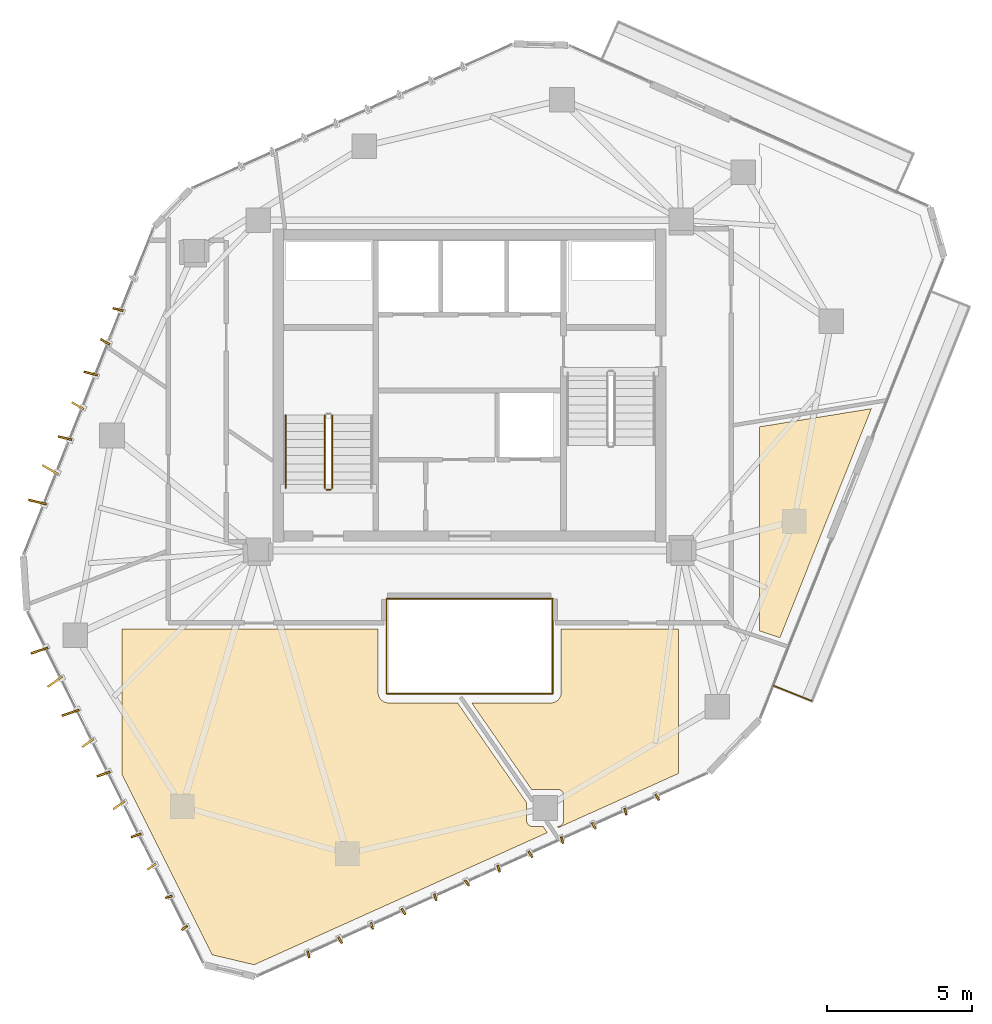
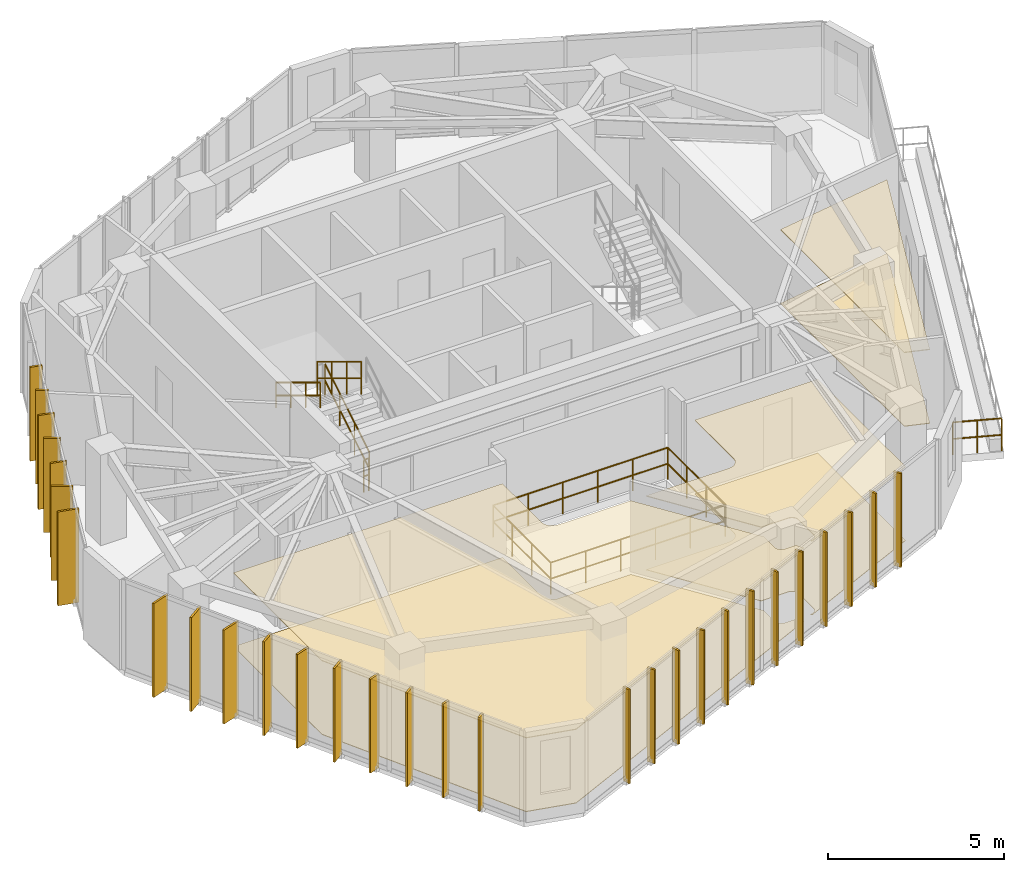
# One storey, part 20 of 21: 29 shading devices, 9 railings, 6 coverings.
"""IFC4 building model written with IfcOpenShell, lengths in metres."""

from ifc_helpers import new_model, si_unit, direction, frame, origin, origin_2d, place, context, subcontext, project, spatial, polyline, rectangle, circle, outline, extrude, source, transform, mapped, material, layer, layer_set, type_object, type_shapes, element, save


model = new_model("IFC4")

# Units and contexts
model_context = context("Model", 3, precision=1e-05, world=origin(), true_north=direction((0.0, 1.0)))
body_context = subcontext(model_context, "Body", "Model", "MODEL_VIEW")
ifc_project = project(units=[si_unit("LENGTHUNIT", "METRE"), si_unit("AREAUNIT", "SQUARE_METRE"), si_unit("VOLUMEUNIT", "CUBIC_METRE"), si_unit("PLANEANGLEUNIT", "RADIAN"), si_unit("MASSUNIT", "GRAM", prefix="KILO")], contexts=[model_context])

# Site, building, storey
site_placement = place(None, origin())
site = spatial("IfcSite", under=ifc_project, at=site_placement, CompositionType="ELEMENT")
building_placement = place(site_placement, origin())
building = spatial("IfcBuilding", under=site, at=building_placement, Name="Talar Marvaseh", CompositionType="ELEMENT")
storey_placement = place(building_placement, frame((0.0, 0.0, 271.39990234375)))
storey = spatial("IfcBuildingStorey", under=building, at=storey_placement, Name="L72", CompositionType="ELEMENT", Elevation=271.39990234375)

# Railings
ifc_material_1 = material(Name="Stainless Steel Grade 316", Category="steel")
railing_type_1 = type_object("IfcRailingType", Name="Brushed Stainless Wall Pitch Handrail 900", PredefinedType="HANDRAIL", material=ifc_material_1)
railing_1_placement = place(storey_placement, frame((19.64990234375, 30.169921875, 1.8701171875)))
element("IfcRailing", 1, at=railing_1_placement, inside=storey, type_object=railing_type_1, Name="L72 ST-1 stair handrail 2", PredefinedType="HANDRAIL", context=body_context, shape_type="SweptSolid", body=[
    extrude(circle(Radius=0.02392578125, at=origin_2d()), frame((0.0, 0.0, 0.8759765625), z_axis=(0.0, -0.85478489116, 0.518982456201), x_axis=(1.0, 0.0, 0.0)), (0.0, 0.0, 1.0), 2.9482421875),
    extrude(circle(Radius=0.02392578125, at=origin_2d()), frame((0.0, 0.0, 0.42578125), z_axis=(0.0, -0.85478489116, 0.518982456201), x_axis=(1.0, 0.0, 0.0)), (0.0, 0.0, 1.0), 2.9482421875),
    extrude(circle(Radius=0.02099609375, at=origin_2d()), origin(), (0.0, 0.0, 1.0), 0.851806640625),
    extrude(circle(Radius=0.02099609375, at=origin_2d()), frame((0.0, -0.840087890625, 0.510009765625)), (0.0, 0.0, 1.0), 0.851806640625),
    extrude(circle(Radius=0.02099609375, at=origin_2d()), frame((0.0, -1.679931640625, 1.02001953125)), (0.0, 0.0, 1.0), 0.851806640625),
    extrude(circle(Radius=0.02099609375, at=origin_2d()), frame((0.0, -2.52001953125, 1.530029296875)), (0.0, 0.0, 1.0), 0.851806640625),
])
ifc_material_2 = material(Name="Tempered Clear Glass", Category="glass")
railing_type_2 = type_object("IfcRailingType", Name="External Laminated Glass Terrace Balustrade 1150", PredefinedType="BALUSTRADE", material=ifc_material_2)
railing_2_placement = place(storey_placement, frame((37.8046875, 20.308349609375, 0.0)))
element("IfcRailing", 2, at=railing_2_placement, inside=storey, type_object=railing_type_2, Name="L72 External Terrace Balustrade 2 3", PredefinedType="BALUSTRADE", context=body_context, shape_type="SweptSolid", body=[
    extrude(circle(Radius=0.02392578125, at=origin_2d()), frame((0.0, 0.0, 1.1259765625), z_axis=(-0.928727281581, 0.370763585654, 0.0), x_axis=(-0.370763585654, -0.928727281581, 0.0)), (0.0, 0.0, 1.0), 1.409912109375),
    extrude(circle(Radius=0.02392578125, at=origin_2d()), frame((0.0, 0.0, 0.55078125), z_axis=(-0.928727281581, 0.370763585654, 0.0), x_axis=(-0.370763585654, -0.928727281581, 0.0)), (0.0, 0.0, 1.0), 1.409912109375),
    extrude(circle(Radius=0.02099609375, at=origin_2d()), origin(), (0.0, 0.0, 1.0), 1.101806640625),
    extrude(circle(Radius=0.02099609375, at=origin_2d()), frame((-0.65478515625, 0.26123046875, 0.0)), (0.0, 0.0, 1.0), 1.101806640625),
    extrude(circle(Radius=0.02099609375, at=origin_2d()), frame((-1.309326171875, 0.522705078125, 0.0)), (0.0, 0.0, 1.0), 1.101806640625),
])
railing_type_3 = type_object("IfcRailingType", Name="Interior Atrium Edge Balustrade 1120", PredefinedType="BALUSTRADE", material=ifc_material_2)
railing_3_placement = place(storey_placement, frame((23.130615234375, 20.560302734375, 0.0)))
element("IfcRailing", 3, at=railing_3_placement, inside=storey, type_object=railing_type_3, Name="L72 Internal Daylight Atrium Balustrade 1", PredefinedType="BALUSTRADE", context=body_context, shape_type="SweptSolid", body=[
    extrude(circle(Radius=0.02392578125, at=origin_2d()), frame((0.0, 0.0, 1.09619140625), z_axis=(1.0, 0.0, 0.0), x_axis=(0.0, 1.0, 0.0)), (0.0, 0.0, 1.0), 5.73876953125),
    extrude(circle(Radius=0.02392578125, at=origin_2d()), frame((0.0, 0.0, 0.5361328125), z_axis=(1.0, 0.0, 0.0), x_axis=(0.0, 1.0, 0.0)), (0.0, 0.0, 1.0), 5.73876953125),
    extrude(circle(Radius=0.02099609375, at=origin_2d()), origin(), (0.0, 0.0, 1.0), 1.072021484375),
    extrude(circle(Radius=0.02099609375, at=origin_2d()), frame((1.147705078125, 0.0, 0.0)), (0.0, 0.0, 1.0), 1.072021484375),
    extrude(circle(Radius=0.02099609375, at=origin_2d()), frame((2.29541015625, 0.0, 0.0)), (0.0, 0.0, 1.0), 1.072021484375),
    extrude(circle(Radius=0.02099609375, at=origin_2d()), frame((3.443359375, 0.0, 0.0)), (0.0, 0.0, 1.0), 1.072021484375),
    extrude(circle(Radius=0.02099609375, at=origin_2d()), frame((4.591064453125, 0.0, 0.0)), (0.0, 0.0, 1.0), 1.072021484375),
    extrude(circle(Radius=0.02099609375, at=origin_2d()), frame((5.73876953125, 0.0, 0.0)), (0.0, 0.0, 1.0), 1.072021484375),
])
railing_4_placement = place(storey_placement, frame((28.869384765625, 20.560302734375, 0.0)))
element("IfcRailing", 4, at=railing_4_placement, inside=storey, type_object=railing_type_3, Name="L72 Internal Daylight Atrium Balustrade 2", PredefinedType="BALUSTRADE", context=body_context, shape_type="SweptSolid", body=[
    extrude(circle(Radius=0.02392578125, at=origin_2d()), frame((0.0, 0.0, 1.09619140625), z_axis=(0.0, 1.0, 0.0), x_axis=(-1.0, 0.0, 0.0)), (0.0, 0.0, 1.0), 3.279296875),
    extrude(circle(Radius=0.02392578125, at=origin_2d()), frame((0.0, 0.0, 0.5361328125), z_axis=(0.0, 1.0, 0.0), x_axis=(-1.0, 0.0, 0.0)), (0.0, 0.0, 1.0), 3.279296875),
    extrude(circle(Radius=0.02099609375, at=origin_2d()), origin(), (0.0, 0.0, 1.0), 1.072021484375),
    extrude(circle(Radius=0.02099609375, at=origin_2d()), frame((0.0, 1.093017578125, 0.0)), (0.0, 0.0, 1.0), 1.072021484375),
    extrude(circle(Radius=0.02099609375, at=origin_2d()), frame((0.0, 2.186279296875, 0.0)), (0.0, 0.0, 1.0), 1.072021484375),
    extrude(circle(Radius=0.02099609375, at=origin_2d()), frame((0.0, 3.279296875, 0.0)), (0.0, 0.0, 1.0), 1.072021484375),
])
railing_5_placement = place(storey_placement, frame((28.869384765625, 23.839599609375, 0.0)))
element("IfcRailing", 5, at=railing_5_placement, inside=storey, type_object=railing_type_3, Name="L72 Internal Daylight Atrium Balustrade 3", PredefinedType="BALUSTRADE", context=body_context, shape_type="SweptSolid", body=[
    extrude(circle(Radius=0.02392578125, at=origin_2d()), frame((0.0, 0.0, 1.09619140625), z_axis=(-1.0, 0.0, 0.0), x_axis=(0.0, -1.0, 0.0)), (0.0, 0.0, 1.0), 5.73876953125),
    extrude(circle(Radius=0.02392578125, at=origin_2d()), frame((0.0, 0.0, 0.5361328125), z_axis=(-1.0, 0.0, 0.0), x_axis=(0.0, -1.0, 0.0)), (0.0, 0.0, 1.0), 5.73876953125),
    extrude(circle(Radius=0.02099609375, at=origin_2d()), origin(), (0.0, 0.0, 1.0), 1.072021484375),
    extrude(circle(Radius=0.02099609375, at=origin_2d()), frame((-1.147705078125, 0.0, 0.0)), (0.0, 0.0, 1.0), 1.072021484375),
    extrude(circle(Radius=0.02099609375, at=origin_2d()), frame((-2.29541015625, 0.0, 0.0)), (0.0, 0.0, 1.0), 1.072021484375),
    extrude(circle(Radius=0.02099609375, at=origin_2d()), frame((-3.443359375, 0.0, 0.0)), (0.0, 0.0, 1.0), 1.072021484375),
    extrude(circle(Radius=0.02099609375, at=origin_2d()), frame((-4.591064453125, 0.0, 0.0)), (0.0, 0.0, 1.0), 1.072021484375),
    extrude(circle(Radius=0.02099609375, at=origin_2d()), frame((-5.73876953125, 0.0, 0.0)), (0.0, 0.0, 1.0), 1.072021484375),
])
railing_6_placement = place(storey_placement, frame((23.130615234375, 23.839599609375, 0.0)))
element("IfcRailing", 6, at=railing_6_placement, inside=storey, type_object=railing_type_3, Name="L72 Internal Daylight Atrium Balustrade 4", PredefinedType="BALUSTRADE", context=body_context, shape_type="SweptSolid", body=[
    extrude(circle(Radius=0.02392578125, at=origin_2d()), frame((0.0, 0.0, 1.09619140625), z_axis=(0.0, -1.0, 0.0), x_axis=(1.0, 0.0, 0.0)), (0.0, 0.0, 1.0), 3.279296875),
    extrude(circle(Radius=0.02392578125, at=origin_2d()), frame((0.0, 0.0, 0.5361328125), z_axis=(0.0, -1.0, 0.0), x_axis=(1.0, 0.0, 0.0)), (0.0, 0.0, 1.0), 3.279296875),
    extrude(circle(Radius=0.02099609375, at=origin_2d()), origin(), (0.0, 0.0, 1.0), 1.072021484375),
    extrude(circle(Radius=0.02099609375, at=origin_2d()), frame((0.0, -1.093017578125, 0.0)), (0.0, 0.0, 1.0), 1.072021484375),
    extrude(circle(Radius=0.02099609375, at=origin_2d()), frame((0.0, -2.186279296875, 0.0)), (0.0, 0.0, 1.0), 1.072021484375),
    extrude(circle(Radius=0.02099609375, at=origin_2d()), frame((0.0, -3.279296875, 0.0)), (0.0, 0.0, 1.0), 1.072021484375),
])
railing_type_4 = type_object("IfcRailingType", Name="Painted Steel Core Stair Well Guardrail 1150", PredefinedType="GUARDRAIL", material=ifc_material_1)
railing_7_placement = place(storey_placement, frame((21.260009765625, 27.64990234375, 0.170166015625)))
element("IfcRailing", 7, at=railing_7_placement, inside=storey, type_object=railing_type_4, Name="L72 ST-1 stair guard 1", PredefinedType="GUARDRAIL", context=body_context, shape_type="SweptSolid", body=[
    extrude(circle(Radius=0.02392578125, at=origin_2d()), frame((0.0, 0.0, 1.1259765625), z_axis=(0.0, 0.85478489116, 0.518982456201), x_axis=(-1.0, 0.0, 0.0)), (0.0, 0.0, 1.0), 2.9482421875),
    extrude(circle(Radius=0.02392578125, at=origin_2d()), frame((0.0, 0.0, 0.55078125), z_axis=(0.0, 0.85478489116, 0.518982456201), x_axis=(-1.0, 0.0, 0.0)), (0.0, 0.0, 1.0), 2.9482421875),
    extrude(circle(Radius=0.02099609375, at=origin_2d()), origin(), (0.0, 0.0, 1.0), 1.101806640625),
    extrude(circle(Radius=0.02099609375, at=origin_2d()), frame((0.0, 0.840087890625, 0.510009765625)), (0.0, 0.0, 1.0), 1.101806640625),
    extrude(circle(Radius=0.02099609375, at=origin_2d()), frame((0.0, 1.679931640625, 1.02001953125)), (0.0, 0.0, 1.0), 1.101806640625),
    extrude(circle(Radius=0.02099609375, at=origin_2d()), frame((0.0, 2.52001953125, 1.530029296875)), (0.0, 0.0, 1.0), 1.101806640625),
])
railing_8_placement = place(storey_placement, frame((21.0, 30.169921875, 1.8701171875)))
element("IfcRailing", 8, at=railing_8_placement, inside=storey, type_object=railing_type_4, Name="L72 ST-1 stair guard 3", PredefinedType="GUARDRAIL", context=body_context, shape_type="SweptSolid", body=[
    extrude(circle(Radius=0.02392578125, at=origin_2d()), frame((0.0, 0.0, 1.1259765625), z_axis=(0.0, -0.85478489116, 0.518982456201), x_axis=(1.0, 0.0, 0.0)), (0.0, 0.0, 1.0), 2.9482421875),
    extrude(circle(Radius=0.02392578125, at=origin_2d()), frame((0.0, 0.0, 0.55078125), z_axis=(0.0, -0.85478489116, 0.518982456201), x_axis=(1.0, 0.0, 0.0)), (0.0, 0.0, 1.0), 2.9482421875),
    extrude(circle(Radius=0.02099609375, at=origin_2d()), origin(), (0.0, 0.0, 1.0), 1.101806640625),
    extrude(circle(Radius=0.02099609375, at=origin_2d()), frame((0.0, -0.840087890625, 0.510009765625)), (0.0, 0.0, 1.0), 1.101806640625),
    extrude(circle(Radius=0.02099609375, at=origin_2d()), frame((0.0, -1.679931640625, 1.02001953125)), (0.0, 0.0, 1.0), 1.101806640625),
    extrude(circle(Radius=0.02099609375, at=origin_2d()), frame((0.0, -2.52001953125, 1.530029296875)), (0.0, 0.0, 1.0), 1.101806640625),
])
railing_9_placement = place(storey_placement, frame((21.2099609375, 27.60009765625, 0.0)))
element("IfcRailing", 9, at=railing_9_placement, inside=storey, type_object=railing_type_4, Name="L72 ST-1 stair guard 4", PredefinedType="GUARDRAIL", context=body_context, shape_type="SweptSolid", body=[
    extrude(circle(Radius=0.02392578125, at=origin_2d()), frame((0.0, 0.0, 1.1259765625), z_axis=(-1.0, 0.0, 0.0), x_axis=(0.0, -1.0, 0.0)), (0.0, 0.0, 1.0), 0.159912109375),
    extrude(circle(Radius=0.02392578125, at=origin_2d()), frame((0.0, 0.0, 0.55078125), z_axis=(-1.0, 0.0, 0.0), x_axis=(0.0, -1.0, 0.0)), (0.0, 0.0, 1.0), 0.159912109375),
    extrude(circle(Radius=0.02099609375, at=origin_2d()), origin(), (0.0, 0.0, 1.0), 1.101806640625),
    extrude(circle(Radius=0.02099609375, at=origin_2d()), frame((-0.159912109375, 0.0, 0.0)), (0.0, 0.0, 1.0), 1.101806640625),
])

# Coverings
ifc_material_3 = material(Name="Mineral Fibre Acoustic Ceiling")
ifc_layer_1 = layer(ifc_material_3, 0.02490234375)
ifc_layer_set_1 = layer_set([ifc_layer_1], Name="Mineral Fibre Acoustic Ceiling")
covering_type_1 = type_object("IfcCoveringType", Name="Perforated Mineral Fibre Acoustic Suspended Ceiling", PredefinedType="CEILING", material=ifc_layer_set_1)
covering_1_placement = place(storey_placement, frame((0.0, 0.0, 2.56005859375)))
element("IfcCovering", 10, at=covering_1_placement, inside=storey, type_object=covering_type_1, Name="L72 Museum Publication Bookshop Acoustic Ceiling", PredefinedType="CEILING", context=body_context, shape_type="SweptSolid", body=[
    extrude(outline(polyline([(22.840087890625, 20.60009765625), (22.841064453125, 20.580322265625), (22.843994140625, 20.560791015625), (22.856201171875, 20.499755859375), (22.86181640625, 20.4775390625), (22.8701171875, 20.456298828125), (22.880615234375, 20.436279296875), (22.90478515625, 20.39599609375), (22.91552734375, 20.37939453125), (22.927978515625, 20.3642578125), (22.94189453125, 20.350341796875), (22.957275390625, 20.337890625), (23.019775390625, 20.29150390625), (23.0380859375, 20.279296875), (23.057861328125, 20.269287109375), (23.078369140625, 20.261474609375), (23.099609375, 20.256103515625), (23.160888671875, 20.243896484375), (23.180419921875, 20.240966796875), (23.199951171875, 20.239990234375), (25.58349609375, 20.239990234375), (27.965087890625, 16.80029296875), (27.967529296875, 16.18310546875), (27.968505859375, 16.16357421875), (27.971435546875, 16.14404296875), (27.976318359375, 16.125244140625), (27.98291015625, 16.106689453125), (27.9912109375, 16.089111328125), (28.001220703125, 16.072509765625), (28.012939453125, 16.056640625), (28.026123046875, 16.042236328125), (28.04052734375, 16.029052734375), (28.056396484375, 16.017578125), (28.072998046875, 16.00732421875), (28.08544921875, 16.000732421875), (28.103271484375, 15.9921875), (28.121826171875, 15.985595703125), (28.140869140625, 15.98095703125), (28.160400390625, 15.97802734375), (28.179931640625, 15.97705078125), (28.53515625, 15.97705078125), (28.681396484375, 15.765869140625), (18.56201171875, 11.205322265625), (17.118408203125, 11.54736328125), (14.0, 17.775390625), (14.0, 22.800048828125), (15.60009765625, 22.800048828125), (22.840087890625, 22.800048828125), (22.840087890625, 20.60009765625)])), origin(), (0.0, 0.0, 1.0), 0.025146484375),
])
covering_2_placement = place(storey_placement, frame((0.0, 0.0, 2.56005859375)))
element("IfcCovering", 11, at=covering_2_placement, inside=storey, type_object=covering_type_1, Name="L72 Hospitality Tea Pantry Acoustic Ceiling", PredefinedType="CEILING", context=body_context, shape_type="SweptSolid", body=[
    extrude(outline(polyline([(28.800048828125, 20.239990234375), (28.819580078125, 20.240966796875), (28.839111328125, 20.243896484375), (28.900390625, 20.256103515625), (28.92236328125, 20.26171875), (28.943603515625, 20.27001953125), (28.9638671875, 20.280517578125), (29.004150390625, 20.3046875), (29.0205078125, 20.315673828125), (29.035888671875, 20.328125), (29.0498046875, 20.342041015625), (29.062255859375, 20.357177734375), (29.1083984375, 20.419677734375), (29.12060546875, 20.43798828125), (29.130615234375, 20.457763671875), (29.138427734375, 20.478515625), (29.143798828125, 20.499755859375), (29.156005859375, 20.560791015625), (29.158935546875, 20.580322265625), (29.159912109375, 20.60009765625), (29.159912109375, 22.800048828125), (33.199951171875, 22.800048828125), (33.199951171875, 17.802001953125), (29.05224609375, 15.93310546875), (29.021728515625, 15.97705078125), (29.030029296875, 15.97705078125), (29.049560546875, 15.97802734375), (29.069091796875, 15.98095703125), (29.088134765625, 15.985595703125), (29.106689453125, 15.9921875), (29.12451171875, 16.000732421875), (29.14111328125, 16.0107421875), (29.155029296875, 16.02001953125), (29.1708984375, 16.03173828125), (29.185302734375, 16.044921875), (29.198486328125, 16.0595703125), (29.210205078125, 16.075439453125), (29.220458984375, 16.09228515625), (29.228759765625, 16.110107421875), (29.2353515625, 16.12841796875), (29.239990234375, 16.147705078125), (29.242919921875, 16.1669921875), (29.243896484375, 16.1865234375), (29.242431640625, 17.050537109375), (29.241455078125, 17.0703125), (29.238525390625, 17.089599609375), (29.23388671875, 17.1083984375), (29.227294921875, 17.126953125), (29.218994140625, 17.14453125), (29.208740234375, 17.161376953125), (29.197021484375, 17.17724609375), (29.18408203125, 17.191650390625), (29.16943359375, 17.204833984375), (29.15380859375, 17.216552734375), (29.136962890625, 17.2265625), (29.12451171875, 17.2333984375), (29.106689453125, 17.24169921875), (29.088134765625, 17.248291015625), (29.069091796875, 17.253173828125), (29.049560546875, 17.256103515625), (29.02978515625, 17.257080078125), (28.177001953125, 17.256591796875), (28.15625, 17.255615234375), (28.138427734375, 17.252685546875), (26.070068359375, 20.239990234375), (28.800048828125, 20.239990234375)])), origin(), (0.0, 0.0, 1.0), 0.025146484375),
])
covering_3_placement = place(storey_placement, frame((0.0, 0.0, 2.56005859375)))
element("IfcCovering", 12, at=covering_3_placement, inside=storey, type_object=covering_type_1, Name="L72 Artisan Craft Showroom Acoustic Ceiling", PredefinedType="CEILING", context=body_context, shape_type="SweptSolid", body=[
    extrude(outline(polyline([(36.70654296875, 22.4931640625), (36.0, 22.724853515625), (36.0, 29.767578125), (39.8603515625, 30.39501953125), (36.70654296875, 22.4931640625)])), origin(), (0.0, 0.0, 1.0), 0.025146484375),
])
ifc_material_4 = material(Name="Porcelain Stoneware Tile", Category="masonry")
ifc_layer_2 = layer(ifc_material_4, 0.02001953125)
ifc_layer_set_2 = layer_set([ifc_layer_2], Name="Porcelain Stoneware Tile")
covering_type_2 = type_object("IfcCoveringType", Name="Polished Porcelain Stoneware Gallery Flooring", PredefinedType="FLOORING", material=ifc_layer_set_2)
covering_4_placement = place(storey_placement, origin())
element("IfcCovering", 13, at=covering_4_placement, inside=storey, type_object=covering_type_2, Name="L72 Museum Publication Bookshop Flooring", PredefinedType="FLOORING", context=body_context, shape_type="SweptSolid", body=[
    extrude(outline(polyline([(22.840087890625, 20.60009765625), (22.841064453125, 20.580322265625), (22.843994140625, 20.560791015625), (22.856201171875, 20.499755859375), (22.86181640625, 20.4775390625), (22.8701171875, 20.456298828125), (22.880615234375, 20.436279296875), (22.90478515625, 20.39599609375), (22.91552734375, 20.37939453125), (22.927978515625, 20.3642578125), (22.94189453125, 20.350341796875), (22.957275390625, 20.337890625), (23.019775390625, 20.29150390625), (23.0380859375, 20.279296875), (23.057861328125, 20.269287109375), (23.078369140625, 20.261474609375), (23.099609375, 20.256103515625), (23.160888671875, 20.243896484375), (23.180419921875, 20.240966796875), (23.199951171875, 20.239990234375), (25.58349609375, 20.239990234375), (27.965087890625, 16.80029296875), (27.967529296875, 16.18310546875), (27.968505859375, 16.16357421875), (27.971435546875, 16.14404296875), (27.976318359375, 16.125244140625), (27.98291015625, 16.106689453125), (27.9912109375, 16.089111328125), (28.001220703125, 16.072509765625), (28.012939453125, 16.056640625), (28.026123046875, 16.042236328125), (28.04052734375, 16.029052734375), (28.056396484375, 16.017578125), (28.072998046875, 16.00732421875), (28.08544921875, 16.000732421875), (28.103271484375, 15.9921875), (28.121826171875, 15.985595703125), (28.140869140625, 15.98095703125), (28.160400390625, 15.97802734375), (28.179931640625, 15.97705078125), (28.53515625, 15.97705078125), (28.681396484375, 15.765869140625), (18.56201171875, 11.205322265625), (17.118408203125, 11.54736328125), (14.0, 17.775390625), (14.0, 22.800048828125), (15.60009765625, 22.800048828125), (22.840087890625, 22.800048828125), (22.840087890625, 20.60009765625)])), origin(), (0.0, 0.0, 1.0), 0.02001953125),
])
covering_5_placement = place(storey_placement, origin())
element("IfcCovering", 14, at=covering_5_placement, inside=storey, type_object=covering_type_2, Name="L72 Hospitality Tea Pantry Flooring", PredefinedType="FLOORING", context=body_context, shape_type="SweptSolid", body=[
    extrude(outline(polyline([(28.800048828125, 20.239990234375), (28.819580078125, 20.240966796875), (28.839111328125, 20.243896484375), (28.900390625, 20.256103515625), (28.92236328125, 20.26171875), (28.943603515625, 20.27001953125), (28.9638671875, 20.280517578125), (29.004150390625, 20.3046875), (29.0205078125, 20.315673828125), (29.035888671875, 20.328125), (29.0498046875, 20.342041015625), (29.062255859375, 20.357177734375), (29.1083984375, 20.419677734375), (29.12060546875, 20.43798828125), (29.130615234375, 20.457763671875), (29.138427734375, 20.478515625), (29.143798828125, 20.499755859375), (29.156005859375, 20.560791015625), (29.158935546875, 20.580322265625), (29.159912109375, 20.60009765625), (29.159912109375, 22.800048828125), (33.199951171875, 22.800048828125), (33.199951171875, 17.802001953125), (29.05224609375, 15.93310546875), (29.021728515625, 15.97705078125), (29.030029296875, 15.97705078125), (29.049560546875, 15.97802734375), (29.069091796875, 15.98095703125), (29.088134765625, 15.985595703125), (29.106689453125, 15.9921875), (29.12451171875, 16.000732421875), (29.14111328125, 16.0107421875), (29.155029296875, 16.02001953125), (29.1708984375, 16.03173828125), (29.185302734375, 16.044921875), (29.198486328125, 16.0595703125), (29.210205078125, 16.075439453125), (29.220458984375, 16.09228515625), (29.228759765625, 16.110107421875), (29.2353515625, 16.12841796875), (29.239990234375, 16.147705078125), (29.242919921875, 16.1669921875), (29.243896484375, 16.1865234375), (29.242431640625, 17.050537109375), (29.241455078125, 17.0703125), (29.238525390625, 17.089599609375), (29.23388671875, 17.1083984375), (29.227294921875, 17.126953125), (29.218994140625, 17.14453125), (29.208740234375, 17.161376953125), (29.197021484375, 17.17724609375), (29.18408203125, 17.191650390625), (29.16943359375, 17.204833984375), (29.15380859375, 17.216552734375), (29.136962890625, 17.2265625), (29.12451171875, 17.2333984375), (29.106689453125, 17.24169921875), (29.088134765625, 17.248291015625), (29.069091796875, 17.253173828125), (29.049560546875, 17.256103515625), (29.02978515625, 17.257080078125), (28.177001953125, 17.256591796875), (28.15625, 17.255615234375), (28.138427734375, 17.252685546875), (26.070068359375, 20.239990234375), (28.800048828125, 20.239990234375)])), origin(), (0.0, 0.0, 1.0), 0.02001953125),
])
covering_6_placement = place(storey_placement, origin())
element("IfcCovering", 15, at=covering_6_placement, inside=storey, type_object=covering_type_2, Name="L72 Artisan Craft Showroom Flooring", PredefinedType="FLOORING", context=body_context, shape_type="SweptSolid", body=[
    extrude(outline(polyline([(36.70654296875, 22.4931640625), (36.0, 22.724853515625), (36.0, 29.767578125), (39.8603515625, 30.39501953125), (36.70654296875, 22.4931640625)])), origin(), (0.0, 0.0, 1.0), 0.02001953125),
])

# Shading devices
ifc_material_5 = material(Name="Anodised Champagne Bronze Aluminium", Category="aluminium")
ifc_layer_3 = layer(ifc_material_5, 0.06494140625)
ifc_layer_set_3 = layer_set([ifc_layer_3], Name="Anodised Champagne Bronze Aluminium")
shading_device_type_1 = type_object("IfcShadingDeviceType", Name="Sawtooth Champagne Bronze Vertical Fin 240", PredefinedType="USERDEFINED", material=ifc_layer_set_3)
shared_shape_1 = source(origin(), body_context, "Body", "SweptSolid", [
    extrude(rectangle(XDim=0.239990234375, YDim=0.06494140625, at=origin_2d()), origin(), (0.0, 0.0, 1.0), 3.260009765625),
])
type_shapes(shading_device_type_1, [shared_shape_1])
for number, where, z_axis, x_axis, name in (
    (16, (16.156982421875, 12.473388671875, -0.1201171875), (0.0, 0.0, 1.0), (-0.823136368534, -0.567843745053, 0.0), "L72 Sawtooth Vertical Solar Fin"),
    (17, (15.61962890625, 13.54638671875, -0.1201171875), (0.0, 0.0, 1.0), (-0.94776841001, -0.318959309298, 0.0), "L72 Sawtooth Vertical Solar Fin"),
    (18, (32.471923828125, 16.98583984375, -0.1201171875), (0.0, 0.0, 1.0), (0.533762115138, -0.845634675521, 0.0), "L72 Sawtooth Vertical Solar Fin"),
    (19, (31.3779296875, 16.492919921875, -0.1201171875), (0.0, 0.0, 1.0), (0.279996570078, -0.960001000387, 0.0), "L72 Sawtooth Vertical Solar Fin"),
    (20, (30.283935546875, 16.0, -0.1201171875), (0.0, 0.0, 1.0), (0.533762115138, -0.845634675521, 0.0), "L72 Sawtooth Vertical Solar Fin"),
    (21, (29.18994140625, 15.5068359375, -0.1201171875), (0.0, 0.0, 1.0), (0.279996570078, -0.960001000387, 0.0), "L72 Sawtooth Vertical Solar Fin"),
    (22, (28.095703125, 15.013916015625, -0.1201171875), (0.0, 0.0, 1.0), (0.533762115138, -0.845634675521, 0.0), "L72 Sawtooth Vertical Solar Fin"),
    (23, (27.001708984375, 14.520751953125, -0.1201171875), (0.0, 0.0, 1.0), (0.279996570078, -0.960001000387, 0.0), "L72 Sawtooth Vertical Solar Fin"),
    (24, (25.90771484375, 14.02783203125, -0.1201171875), (0.0, 0.0, 1.0), (0.533762115138, -0.845634675521, 0.0), "L72 Sawtooth Vertical Solar Fin"),
    (25, (24.813720703125, 13.53466796875, -0.1201171875), (0.0, 0.0, 1.0), (0.279996570078, -0.960001000387, 0.0), "L72 Sawtooth Vertical Solar Fin"),
    (26, (23.7197265625, 13.041748046875, -0.1201171875), (0.0, 0.0, 1.0), (0.533762115138, -0.845634675521, 0.0), "L72 Sawtooth Vertical Solar Fin"),
    (27, (22.625732421875, 12.548583984375, -0.1201171875), (0.0, 0.0, 1.0), (0.279996570078, -0.960001000387, 0.0), "L72 Sawtooth Vertical Solar Fin"),
    (28, (21.531494140625, 12.0556640625, -0.1201171875), (0.0, 0.0, 1.0), (0.533762115138, -0.845634675521, 0.0), "L72 Sawtooth Vertical Solar Fin"),
    (29, (20.4375, 11.5625, -0.1201171875), (0.0, 0.0, 1.0), (0.279996570078, -0.960001000387, 0.0), "L72 Sawtooth Vertical Solar Fin"),
):
    element("IfcShadingDevice", number, at=place(storey_placement, frame(where, z_axis=z_axis, x_axis=x_axis)), inside=storey, type_object=shading_device_type_1, Name=name, ObjectType="FIN", PredefinedType="USERDEFINED", context=body_context, shape_type="MappedRepresentation", body=[
        mapped(shared_shape_1, transform((0.0, 0.0, 0.0), x_axis=(1.0, 0.0, 0.0), y_axis=(0.0, 1.0, 0.0), z_axis=(0.0, 0.0, 1.0), scale=1.0)),
    ])
ifc_layer_4 = layer(ifc_material_5, 0.06494140625)
ifc_layer_set_4 = layer_set([ifc_layer_4], Name="Anodised Champagne Bronze Aluminium")
shading_device_type_2 = type_object("IfcShadingDeviceType", Name="Sawtooth Champagne Bronze Vertical Fin 360", PredefinedType="USERDEFINED", material=ifc_layer_set_4)
shared_shape_2 = source(origin(), body_context, "Body", "SweptSolid", [
    extrude(rectangle(XDim=0.360107421875, YDim=0.06494140625, at=origin_2d()), origin(), (0.0, 0.0, 1.0), 3.260009765625),
])
type_shapes(shading_device_type_2, [shared_shape_2])
for number, where, z_axis, x_axis, name in (
    (30, (15.02880859375, 14.592529296875, -0.1201171875), (0.0, 0.0, 1.0), (-0.823136368534, -0.567843745053, 0.0), "L72 Sawtooth Vertical Solar Fin"),
    (31, (14.49169921875, 15.66552734375, -0.1201171875), (0.0, 0.0, 1.0), (-0.94776841001, -0.318959309298, 0.0), "L72 Sawtooth Vertical Solar Fin"),
    (32, (13.422119140625, 32.701904296875, -0.1201171875), (0.0, 0.0, 1.0), (-0.868804409216, 0.495155428655, 0.0), "L72 Sawtooth Vertical Solar Fin"),
    (33, (13.865478515625, 33.817138671875, -0.1201171875), (0.0, 0.0, 1.0), (-0.971631732915, 0.236498997024, 0.0), "L72 Sawtooth Vertical Solar Fin"),
):
    element("IfcShadingDevice", number, at=place(storey_placement, frame(where, z_axis=z_axis, x_axis=x_axis)), inside=storey, type_object=shading_device_type_2, Name=name, ObjectType="FIN", PredefinedType="USERDEFINED", context=body_context, shape_type="MappedRepresentation", body=[
        mapped(shared_shape_2, transform((0.0, 0.0, 0.0), x_axis=(1.0, 0.0, 0.0), y_axis=(0.0, 1.0, 0.0), z_axis=(0.0, 0.0, 1.0), scale=1.0)),
    ])
ifc_layer_5 = layer(ifc_material_5, 0.06494140625)
ifc_layer_set_5 = layer_set([ifc_layer_5], Name="Anodised Champagne Bronze Aluminium")
shading_device_type_3 = type_object("IfcShadingDeviceType", Name="Sawtooth Champagne Bronze Vertical Fin 480", PredefinedType="USERDEFINED", material=ifc_layer_set_5)
shared_shape_3 = source(origin(), body_context, "Body", "SweptSolid", [
    extrude(rectangle(XDim=0.47998046875, YDim=0.06494140625, at=origin_2d()), origin(), (0.0, 0.0, 1.0), 3.260009765625),
])
type_shapes(shading_device_type_3, [shared_shape_3])
for number, where, z_axis, x_axis, name in (
    (34, (13.900634765625, 16.7119140625, -0.1201171875), (0.0, 0.0, 1.0), (-0.823136368534, -0.567843745053, 0.0), "L72 Sawtooth Vertical Solar Fin"),
    (35, (13.363525390625, 17.784912109375, -0.1201171875), (0.0, 0.0, 1.0), (-0.94776841001, -0.318959309298, 0.0), "L72 Sawtooth Vertical Solar Fin"),
    (36, (12.826416015625, 18.85791015625, -0.1201171875), (0.0, 0.0, 1.0), (-0.823136368534, -0.567843745053, 0.0), "L72 Sawtooth Vertical Solar Fin"),
    (37, (12.036376953125, 29.37890625, -0.1201171875), (0.0, 0.0, 1.0), (-0.971631732915, 0.236498997024, 0.0), "L72 Sawtooth Vertical Solar Fin"),
    (38, (12.479736328125, 30.493896484375, -0.1201171875), (0.0, 0.0, 1.0), (-0.868804409216, 0.495155428655, 0.0), "L72 Sawtooth Vertical Solar Fin"),
    (39, (12.923095703125, 31.609130859375, -0.1201171875), (0.0, 0.0, 1.0), (-0.971631732915, 0.236498997024, 0.0), "L72 Sawtooth Vertical Solar Fin"),
):
    element("IfcShadingDevice", number, at=place(storey_placement, frame(where, z_axis=z_axis, x_axis=x_axis)), inside=storey, type_object=shading_device_type_3, Name=name, ObjectType="FIN", PredefinedType="USERDEFINED", context=body_context, shape_type="MappedRepresentation", body=[
        mapped(shared_shape_3, transform((0.0, 0.0, 0.0), x_axis=(1.0, 0.0, 0.0), y_axis=(0.0, 1.0, 0.0), z_axis=(0.0, 0.0, 1.0), scale=1.0)),
    ])
ifc_layer_6 = layer(ifc_material_5, 0.06494140625)
ifc_layer_set_6 = layer_set([ifc_layer_6], Name="Anodised Champagne Bronze Aluminium")
shading_device_type_4 = type_object("IfcShadingDeviceType", Name="Sawtooth Champagne Bronze Vertical Fin 620", PredefinedType="USERDEFINED", material=ifc_layer_set_6)
shared_shape_4 = source(origin(), body_context, "Body", "SweptSolid", [
    extrude(rectangle(XDim=0.6201171875, YDim=0.06494140625, at=origin_2d()), origin(), (0.0, 0.0, 1.0), 3.260009765625),
])
type_shapes(shading_device_type_4, [shared_shape_4])
for number, where, z_axis, x_axis, name in (
    (40, (12.226318359375, 19.8994140625, -0.1201171875), (0.0, 0.0, 1.0), (-0.94776841001, -0.318959309298, 0.0), "L72 Sawtooth Vertical Solar Fin"),
    (41, (11.689208984375, 20.972412109375, -0.1201171875), (0.0, 0.0, 1.0), (-0.823136368534, -0.567843745053, 0.0), "L72 Sawtooth Vertical Solar Fin"),
    (42, (11.152099609375, 22.04541015625, -0.1201171875), (0.0, 0.0, 1.0), (-0.94776841001, -0.318959309298, 0.0), "L72 Sawtooth Vertical Solar Fin"),
    (43, (11.084716796875, 27.174560546875, -0.1201171875), (0.0, 0.0, 1.0), (-0.971631732915, 0.236498997024, 0.0), "L72 Sawtooth Vertical Solar Fin"),
    (44, (11.528076171875, 28.28955078125, -0.1201171875), (0.0, 0.0, 1.0), (-0.868804409216, 0.495155428655, 0.0), "L72 Sawtooth Vertical Solar Fin"),
):
    element("IfcShadingDevice", number, at=place(storey_placement, frame(where, z_axis=z_axis, x_axis=x_axis)), inside=storey, type_object=shading_device_type_4, Name=name, ObjectType="FIN", PredefinedType="USERDEFINED", context=body_context, shape_type="MappedRepresentation", body=[
        mapped(shared_shape_4, transform((0.0, 0.0, 0.0), x_axis=(1.0, 0.0, 0.0), y_axis=(0.0, 1.0, 0.0), z_axis=(0.0, 0.0, 1.0), scale=1.0)),
    ])

save(model, "model.ifc")
